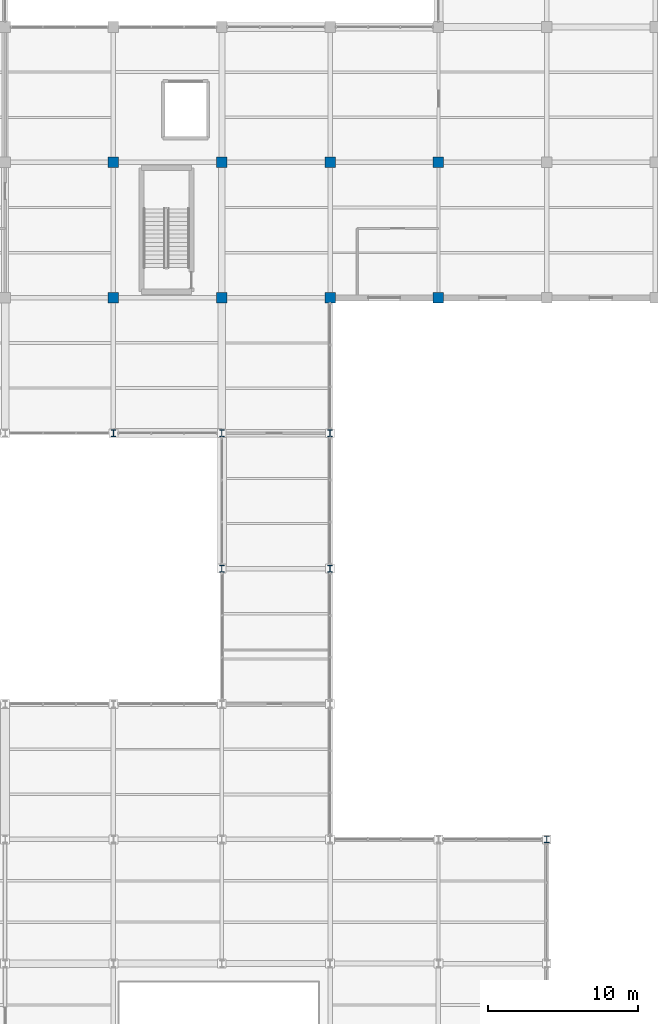
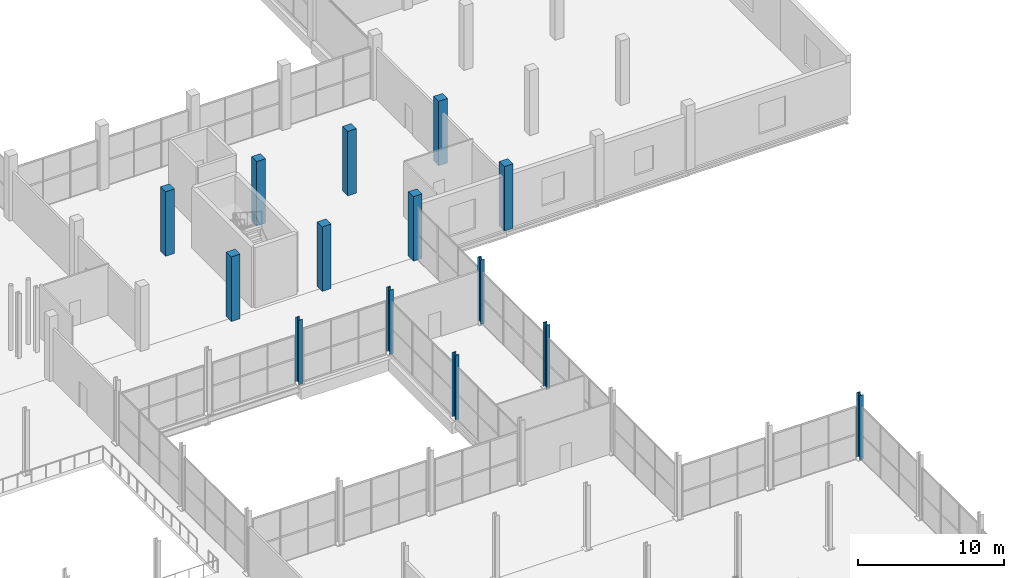
# One storey, part 10 of 147: 14 columns.
"""IFC4 building model written with IfcOpenShell, lengths in metres."""

import ifcopenshell
import ifcopenshell.guid

model = None  # the IFC model being written
_history = None  # IfcOwnerHistory: only IFC2X3 demands one
_inside = {}  # id of a spatial element -> (the spatial element, [elements in it])
_under = {}  # id of a project, library or spatial element -> (it, [spatial elements below it])
_declared = {}  # id of a project -> (the project, [libraries it declares])
_typed = {}  # id of a type object -> (the type object, [elements of that type])
_made_of = {}  # id of a material, layer set ... -> (it, [elements and type objects made of it])


def new_model(schema):
    """Start an empty IFC model of exactly this schema.

    Asked for "IFC4X3", IfcOpenShell would pick the latest addendum, in which some entities
    have other attributes; the version numbers below select the first issue.
    IFC2X3 requires an IfcOwnerHistory on every rooted entity: one is made here for all.
    """
    global model, _history
    if schema == "IFC4X3":
        model = ifcopenshell.file(schema_version=(4, 3, 0, 0))
    else:
        model = ifcopenshell.file(schema=schema)
    _inside.clear()
    _under.clear()
    _declared.clear()
    _typed.clear()
    _made_of.clear()
    _history = None
    if model.schema == "IFC2X3":
        org = make("IfcOrganization", Name="unknown")
        user = make(
            "IfcPersonAndOrganization",
            ThePerson=make("IfcPerson", FamilyName="unknown"),
            TheOrganization=org,
        )
        app = make(
            "IfcApplication",
            ApplicationDeveloper=org,
            Version="unknown",
            ApplicationFullName="unknown",
            ApplicationIdentifier="unknown",
        )
        _history = make(
            "IfcOwnerHistory",
            OwningUser=user,
            OwningApplication=app,
            ChangeAction="ADDED",
            CreationDate=0,
        )
    return model


def make(cls, **values):
    """One entity of the class cls with the attributes given. An attribute that is None is left unset."""
    return model.create_entity(
        cls, **{name: value for name, value in values.items() if value is not None}
    )


def rooted(cls, **values):
    """An entity with a GlobalId (a new one), such as an element, a storey or a relation."""
    return make(cls, GlobalId=ifcopenshell.guid.new(), OwnerHistory=_history, **values)


def si_unit(unit_type, name, prefix=None):
    """IfcSIUnit, for example si_unit("LENGTHUNIT", "METRE", prefix="MILLI")."""
    return make("IfcSIUnit", UnitType=unit_type, Prefix=prefix, Name=name)


def assignment(units):
    """IfcUnitAssignment: the units of a project."""
    return None if units is None else make("IfcUnitAssignment", Units=units)


def point(xyz):
    """IfcCartesianPoint."""
    return None if xyz is None else make("IfcCartesianPoint", Coordinates=xyz)


def direction(xyz):
    """IfcDirection."""
    return None if xyz is None else make("IfcDirection", DirectionRatios=xyz)


def frame(location, z_axis=None, x_axis=None):
    """IfcAxis2Placement3D, a coordinate frame: its origin and axes. An axis left out is left unset."""
    return make(
        "IfcAxis2Placement3D",
        Location=point(location),
        Axis=direction(z_axis),
        RefDirection=direction(x_axis),
    )


def frame_2d(location, x_axis=None):
    """IfcAxis2Placement2D, a coordinate frame in the plane: its origin and x axis."""
    return make(
        "IfcAxis2Placement2D", Location=point(location), RefDirection=direction(x_axis)
    )


def origin():
    """The frame at (0, 0, 0) with its axes left unset."""
    return frame((0.0, 0.0, 0.0))


def origin_2d():
    """The frame at (0, 0) in the plane with its x axis left unset."""
    return frame_2d((0.0, 0.0))


def place(relative_to, where):
    """IfcLocalPlacement: puts the frame where relative to a parent placement (None: the world)."""
    return make(
        "IfcLocalPlacement", PlacementRelTo=relative_to, RelativePlacement=where
    )


def context(
    kind, dimensions, precision=None, world=None, true_north=None, identifier=None
):
    """IfcGeometricRepresentationContext, for example the 3D "Model" context."""
    return make(
        "IfcGeometricRepresentationContext",
        ContextIdentifier=identifier,
        ContextType=kind,
        CoordinateSpaceDimension=dimensions,
        Precision=precision,
        WorldCoordinateSystem=world,
        TrueNorth=true_north,
    )


def subcontext(parent, identifier, kind, view, scale=None):
    """IfcGeometricRepresentationSubContext, for example "Body" below "Model"."""
    return make(
        "IfcGeometricRepresentationSubContext",
        ContextIdentifier=identifier,
        ContextType=kind,
        ParentContext=parent,
        TargetScale=scale,
        TargetView=view,
    )


def project(units=None, contexts=None):
    """IfcProject with its units and contexts."""
    return rooted(
        "IfcProject",
        Name="project",
        RepresentationContexts=contexts,
        UnitsInContext=assignment(units),
    )


def spatial(cls, under=None, at=None, **own):
    """A site, building, storey or space (cls), placed at a placement, below another one or the project."""
    s = rooted(cls, ObjectPlacement=at, **own)
    if under is not None:
        _under.setdefault(under.id(), (under, []))[1].append(s)
    return s


def profile(cls, at=None, kind="AREA", **sizes):
    """A parametric profile (cls). Its sizes go by their IFC names, for example OverallWidth=200.0."""
    return make(cls, ProfileType=kind, Position=at, **sizes)


def rectangle(**sizes):
    """IfcRectangleProfileDef."""
    return profile("IfcRectangleProfileDef", **sizes)


def i_section(**sizes):
    """IfcIShapeProfileDef."""
    return profile("IfcIShapeProfileDef", **sizes)


def extrude(swept, where, along, depth):
    """IfcExtrudedAreaSolid: the profile swept, set in the frame where, extruded along a direction by depth."""
    return make(
        "IfcExtrudedAreaSolid",
        SweptArea=swept,
        Position=where,
        ExtrudedDirection=direction(along),
        Depth=depth,
    )


def shape(context_of_items, identifier, shape_type, items):
    """IfcShapeRepresentation: the items that make up one representation, for example the "Body"."""
    return make(
        "IfcShapeRepresentation",
        ContextOfItems=context_of_items,
        RepresentationIdentifier=identifier,
        RepresentationType=shape_type,
        Items=items,
    )


def material(Name=None, Category=None):
    """IfcMaterial."""
    return make("IfcMaterial", Name=Name, Category=Category)


def material_profile(
    of_material, cross_section, Name=None, Category=None, Priority=None
):
    """IfcMaterialProfile: a cross section and its material."""
    return make(
        "IfcMaterialProfile",
        Name=Name,
        Material=of_material,
        Profile=cross_section,
        Priority=Priority,
        Category=Category,
    )


def profile_set(profiles, Name=None, composite=None):
    """IfcMaterialProfileSet."""
    return make(
        "IfcMaterialProfileSet",
        Name=Name,
        MaterialProfiles=profiles,
        CompositeProfile=composite,
    )


def made_of(thing, what):
    """Note that an element or type object is made of a material, layer set ...; save() writes the relation."""
    if what is not None:
        _made_of.setdefault(what.id(), (what, []))[1].append(thing)
    return thing


def type_object(cls, material=None, **own):
    """A type object (cls), such as IfcWallType, which elements share."""
    return made_of(rooted(cls, **own), material)


def element(
    cls,
    number,
    at=None,
    inside=None,
    cuts=None,
    type_object=None,
    material=None,
    context=None,
    identifier="Body",
    shape_type=None,
    held_by="IfcProductDefinitionShape",
    body=None,
    shapes=None,
    **own,
):
    """One element of the class cls, such as IfcWall. Its Tag is "e" and its number.

    at: its placement. inside: the storey or other place that contains it. cuts: it is an
    opening in that element (IfcRelVoidsElement). A single representation is given by context,
    identifier, shape_type and body (its items); several are given by shapes. held_by: the class
    of the entity that holds the representations. save() writes the other relations.
    """
    e = rooted(cls, Tag="e%d" % number, ObjectPlacement=at, **own)
    if body is not None:
        shapes = [shape(context, identifier, shape_type, body)]
    if shapes is not None:
        e.Representation = make(held_by, Representations=shapes)
    if inside is not None:
        _inside.setdefault(inside.id(), (inside, []))[1].append(e)
    if cuts is not None:
        rooted(
            "IfcRelVoidsElement", RelatingBuildingElement=cuts, RelatedOpeningElement=e
        )
    if type_object is not None:
        _typed.setdefault(type_object.id(), (type_object, []))[1].append(e)
    return made_of(e, material)


def aggregate(whole, parts):
    """IfcRelAggregates: a whole, such as a stair, and the parts it consists of."""
    return rooted("IfcRelAggregates", RelatingObject=whole, RelatedObjects=parts)


def save(model, path):
    """Write the relations noted so far, then the file.

    IfcRelAggregates (storeys below a building ...), IfcRelContainedInSpatialStructure (elements
    in a storey), IfcRelDefinesByType, IfcRelAssociatesMaterial and IfcRelDeclares: one each for
    every whole, place, type object, material and project.
    """
    for whole, parts in _under.values():
        aggregate(whole, parts)
    for where, things in _inside.values():
        rooted(
            "IfcRelContainedInSpatialStructure",
            RelatedElements=things,
            RelatingStructure=where,
        )
    for kind, things in _typed.values():
        rooted("IfcRelDefinesByType", RelatedObjects=things, RelatingType=kind)
    for what, things in _made_of.values():
        rooted("IfcRelAssociatesMaterial", RelatedObjects=things, RelatingMaterial=what)
    for by, libraries in _declared.values():
        rooted("IfcRelDeclares", RelatingContext=by, RelatedDefinitions=libraries)
    model.write(path)


model = new_model("IFC4")

# Units and contexts
model_context = context("Model", 3, precision=1e-05, world=origin(), true_north=direction((0.0, 1.0)))
body_context = subcontext(model_context, "Body", "Model", "MODEL_VIEW")
ifc_project = project(units=[si_unit("LENGTHUNIT", "METRE"), si_unit("AREAUNIT", "SQUARE_METRE"), si_unit("VOLUMEUNIT", "CUBIC_METRE"), si_unit("PLANEANGLEUNIT", "RADIAN"), si_unit("MASSUNIT", "GRAM", prefix="KILO")], contexts=[model_context])

# Site, building, storey
site_placement = place(None, origin())
site = spatial("IfcSite", under=ifc_project, at=site_placement, CompositionType="ELEMENT")
building_placement = place(site_placement, origin())
building = spatial("IfcBuilding", under=site, at=building_placement, Name="Sundgate Opera House", CompositionType="ELEMENT")
storey_placement = place(building_placement, frame((0.0, 0.0, 6.0)))
storey = spatial("IfcBuildingStorey", under=building, at=storey_placement, Name="L01", CompositionType="ELEMENT", Elevation=6.0)

# Columns
ifc_material_1 = material(Name="Concrete C40/50", Category="concrete")
ifc_material_profile_1 = material_profile(ifc_material_1, rectangle(XDim=0.699951171875, YDim=0.699951171875, at=origin_2d()), Name="RC 700x700")
ifc_profile_set_1 = profile_set([ifc_material_profile_1], Name="Concrete C40/50")
column_type_1 = type_object("IfcColumnType", Name="CL-RC-700", PredefinedType="COLUMN", material=ifc_profile_set_1)
for number, where, z_axis, x_axis, name in (
    (1, (131.39990234375, 69.0, 0.0), (0.0, 0.0, 1.0), (1.0, 0.0, 0.0), "L01 Column C0973"),
    (2, (131.39990234375, 78.0, 0.0), (0.0, 0.0, 1.0), (1.0, 0.0, 0.0), "L01 Column C0979"),
    (3, (138.60009765625, 69.0, 0.0), (0.0, 0.0, 1.0), (1.0, 0.0, 0.0), "L01 Column C1027"),
    (4, (138.60009765625, 78.0, 0.0), (0.0, 0.0, 1.0), (1.0, 0.0, 0.0), "L01 Column C1033"),
    (5, (145.800048828125, 69.0, 0.0), (0.0, 0.0, 1.0), (1.0, 0.0, 0.0), "L01 Column C1081"),
    (6, (145.800048828125, 78.0, 0.0), (0.0, 0.0, 1.0), (1.0, 0.0, 0.0), "L01 Column C1087"),
    (7, (153.0, 69.0, 0.0), (0.0, 0.0, 1.0), (1.0, 0.0, 0.0), "L01 Column C1124"),
    (8, (153.0, 78.0, 0.0), (0.0, 0.0, 1.0), (1.0, 0.0, 0.0), "L01 Column C1128"),
):
    element("IfcColumn", number, at=place(storey_placement, frame(where, z_axis=z_axis, x_axis=x_axis)), inside=storey, type_object=column_type_1, Name=name, PredefinedType="COLUMN", context=body_context, shape_type="SweptSolid", body=[
        extrude(rectangle(XDim=0.699951171875, YDim=0.699951171875, at=origin_2d()), origin(), (0.0, 0.0, 1.0), 5.39990234375),
    ])
ifc_material_2 = material(Name="Steel S355J2", Category="steel")
ifc_material_profile_2 = material_profile(ifc_material_2, i_section(OverallWidth=0.300048828125, OverallDepth=0.449951171875, WebThickness=0.013916015625, FlangeThickness=0.02587890625, at=origin_2d()), Name="HEB 450")
ifc_profile_set_2 = profile_set([ifc_material_profile_2], Name="Steel S355J2")
column_type_2 = type_object("IfcColumnType", Name="CL-STL-450", PredefinedType="COLUMN", material=ifc_profile_set_2)
for number, where, z_axis, x_axis, name in (
    (9, (131.39990234375, 60.0, 0.0), (0.0, 0.0, 1.0), (1.0, 0.0, 0.0), "L01 Column C0969"),
    (10, (138.60009765625, 51.0, 0.0), (0.0, 0.0, 1.0), (1.0, 0.0, 0.0), "L01 Column C1019"),
    (11, (138.60009765625, 60.0, 0.0), (0.0, 0.0, 1.0), (1.0, 0.0, 0.0), "L01 Column C1023"),
    (12, (145.800048828125, 51.0, 0.0), (0.0, 0.0, 1.0), (1.0, 0.0, 0.0), "L01 Column C1073"),
    (13, (145.800048828125, 60.0, 0.0), (0.0, 0.0, 1.0), (1.0, 0.0, 0.0), "L01 Column C1077"),
    (14, (160.199951171875, 33.0, 0.0), (0.0, 0.0, 1.0), (1.0, 0.0, 0.0), "L01 Column C1163"),
):
    element("IfcColumn", number, at=place(storey_placement, frame(where, z_axis=z_axis, x_axis=x_axis)), inside=storey, type_object=column_type_2, Name=name, PredefinedType="COLUMN", context=body_context, shape_type="SweptSolid", body=[
        extrude(i_section(OverallWidth=0.300048828125, OverallDepth=0.449951171875, WebThickness=0.013916015625, FlangeThickness=0.02587890625, at=origin_2d()), origin(), (0.0, 0.0, 1.0), 5.39990234375),
    ])

save(model, "model.ifc")
